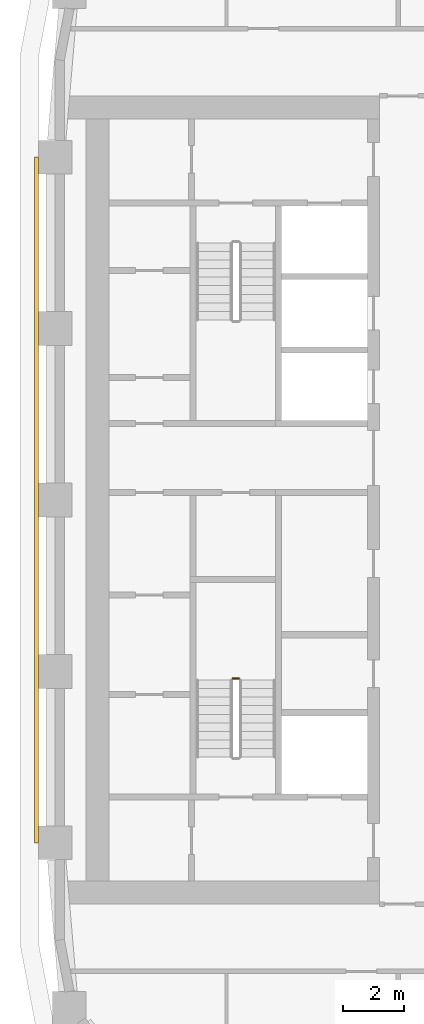
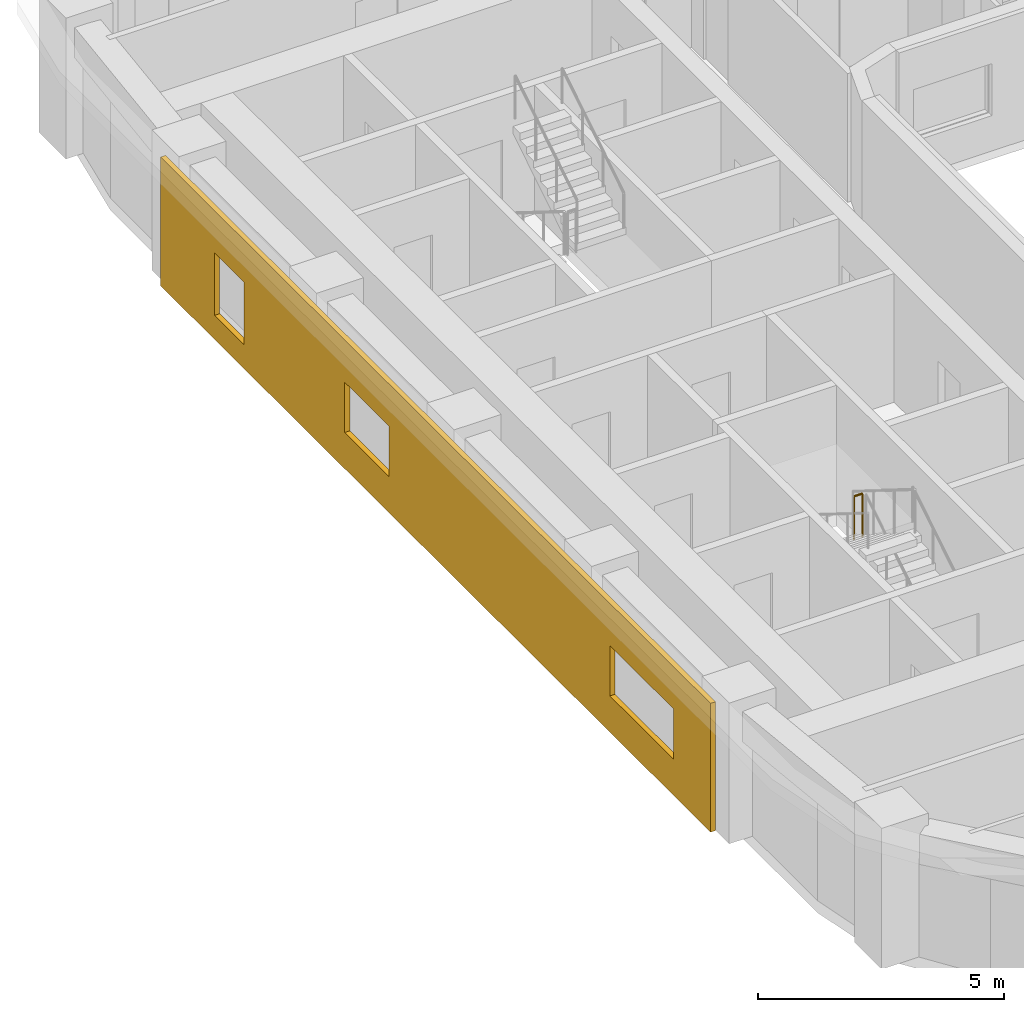
# One storey, part 13 of 22: 1 covering, 1 railing.
"""IFC4 building model written with IfcOpenShell, lengths in metres."""

import ifcopenshell
import ifcopenshell.guid

model = None  # the IFC model being written
_history = None  # IfcOwnerHistory: only IFC2X3 demands one
_inside = {}  # id of a spatial element -> (the spatial element, [elements in it])
_under = {}  # id of a project, library or spatial element -> (it, [spatial elements below it])
_declared = {}  # id of a project -> (the project, [libraries it declares])
_typed = {}  # id of a type object -> (the type object, [elements of that type])
_made_of = {}  # id of a material, layer set ... -> (it, [elements and type objects made of it])


def new_model(schema):
    """Start an empty IFC model of exactly this schema.

    Asked for "IFC4X3", IfcOpenShell would pick the latest addendum, in which some entities
    have other attributes; the version numbers below select the first issue.
    IFC2X3 requires an IfcOwnerHistory on every rooted entity: one is made here for all.
    """
    global model, _history
    if schema == "IFC4X3":
        model = ifcopenshell.file(schema_version=(4, 3, 0, 0))
    else:
        model = ifcopenshell.file(schema=schema)
    _inside.clear()
    _under.clear()
    _declared.clear()
    _typed.clear()
    _made_of.clear()
    _history = None
    if model.schema == "IFC2X3":
        org = make("IfcOrganization", Name="unknown")
        user = make(
            "IfcPersonAndOrganization",
            ThePerson=make("IfcPerson", FamilyName="unknown"),
            TheOrganization=org,
        )
        app = make(
            "IfcApplication",
            ApplicationDeveloper=org,
            Version="unknown",
            ApplicationFullName="unknown",
            ApplicationIdentifier="unknown",
        )
        _history = make(
            "IfcOwnerHistory",
            OwningUser=user,
            OwningApplication=app,
            ChangeAction="ADDED",
            CreationDate=0,
        )
    return model


def make(cls, **values):
    """One entity of the class cls with the attributes given. An attribute that is None is left unset."""
    return model.create_entity(
        cls, **{name: value for name, value in values.items() if value is not None}
    )


def rooted(cls, **values):
    """An entity with a GlobalId (a new one), such as an element, a storey or a relation."""
    return make(cls, GlobalId=ifcopenshell.guid.new(), OwnerHistory=_history, **values)


def si_unit(unit_type, name, prefix=None):
    """IfcSIUnit, for example si_unit("LENGTHUNIT", "METRE", prefix="MILLI")."""
    return make("IfcSIUnit", UnitType=unit_type, Prefix=prefix, Name=name)


def assignment(units):
    """IfcUnitAssignment: the units of a project."""
    return None if units is None else make("IfcUnitAssignment", Units=units)


def point(xyz):
    """IfcCartesianPoint."""
    return None if xyz is None else make("IfcCartesianPoint", Coordinates=xyz)


def direction(xyz):
    """IfcDirection."""
    return None if xyz is None else make("IfcDirection", DirectionRatios=xyz)


def frame(location, z_axis=None, x_axis=None):
    """IfcAxis2Placement3D, a coordinate frame: its origin and axes. An axis left out is left unset."""
    return make(
        "IfcAxis2Placement3D",
        Location=point(location),
        Axis=direction(z_axis),
        RefDirection=direction(x_axis),
    )


def frame_2d(location, x_axis=None):
    """IfcAxis2Placement2D, a coordinate frame in the plane: its origin and x axis."""
    return make(
        "IfcAxis2Placement2D", Location=point(location), RefDirection=direction(x_axis)
    )


def origin():
    """The frame at (0, 0, 0) with its axes left unset."""
    return frame((0.0, 0.0, 0.0))


def origin_2d():
    """The frame at (0, 0) in the plane with its x axis left unset."""
    return frame_2d((0.0, 0.0))


def place(relative_to, where):
    """IfcLocalPlacement: puts the frame where relative to a parent placement (None: the world)."""
    return make(
        "IfcLocalPlacement", PlacementRelTo=relative_to, RelativePlacement=where
    )


def context(
    kind, dimensions, precision=None, world=None, true_north=None, identifier=None
):
    """IfcGeometricRepresentationContext, for example the 3D "Model" context."""
    return make(
        "IfcGeometricRepresentationContext",
        ContextIdentifier=identifier,
        ContextType=kind,
        CoordinateSpaceDimension=dimensions,
        Precision=precision,
        WorldCoordinateSystem=world,
        TrueNorth=true_north,
    )


def subcontext(parent, identifier, kind, view, scale=None):
    """IfcGeometricRepresentationSubContext, for example "Body" below "Model"."""
    return make(
        "IfcGeometricRepresentationSubContext",
        ContextIdentifier=identifier,
        ContextType=kind,
        ParentContext=parent,
        TargetScale=scale,
        TargetView=view,
    )


def project(units=None, contexts=None):
    """IfcProject with its units and contexts."""
    return rooted(
        "IfcProject",
        Name="project",
        RepresentationContexts=contexts,
        UnitsInContext=assignment(units),
    )


def spatial(cls, under=None, at=None, **own):
    """A site, building, storey or space (cls), placed at a placement, below another one or the project."""
    s = rooted(cls, ObjectPlacement=at, **own)
    if under is not None:
        _under.setdefault(under.id(), (under, []))[1].append(s)
    return s


def polyline(points):
    """IfcPolyline through the points."""
    return make("IfcPolyline", Points=[point(p) for p in points])


def profile(cls, at=None, kind="AREA", **sizes):
    """A parametric profile (cls). Its sizes go by their IFC names, for example OverallWidth=200.0."""
    return make(cls, ProfileType=kind, Position=at, **sizes)


def circle(**sizes):
    """IfcCircleProfileDef."""
    return profile("IfcCircleProfileDef", **sizes)


def outline(outer, holes=None, kind="AREA"):
    """IfcArbitraryClosedProfileDef: a profile drawn as a closed curve; with holes, ...WithVoids."""
    if holes is None:
        return make("IfcArbitraryClosedProfileDef", ProfileType=kind, OuterCurve=outer)
    return make(
        "IfcArbitraryProfileDefWithVoids",
        ProfileType=kind,
        OuterCurve=outer,
        InnerCurves=holes,
    )


def extrude(swept, where, along, depth):
    """IfcExtrudedAreaSolid: the profile swept, set in the frame where, extruded along a direction by depth."""
    return make(
        "IfcExtrudedAreaSolid",
        SweptArea=swept,
        Position=where,
        ExtrudedDirection=direction(along),
        Depth=depth,
    )


def shape(context_of_items, identifier, shape_type, items):
    """IfcShapeRepresentation: the items that make up one representation, for example the "Body"."""
    return make(
        "IfcShapeRepresentation",
        ContextOfItems=context_of_items,
        RepresentationIdentifier=identifier,
        RepresentationType=shape_type,
        Items=items,
    )


def material(Name=None, Category=None):
    """IfcMaterial."""
    return make("IfcMaterial", Name=Name, Category=Category)


def layer(
    of_material, thickness, ventilated=None, Name=None, Category=None, Priority=None
):
    """IfcMaterialLayer: one layer of a wall or slab, of a material (None: an air gap)."""
    return make(
        "IfcMaterialLayer",
        Material=of_material,
        LayerThickness=thickness,
        IsVentilated=ventilated,
        Name=Name,
        Category=Category,
        Priority=Priority,
    )


def layer_set(layers, Name=None):
    """IfcMaterialLayerSet."""
    return make("IfcMaterialLayerSet", MaterialLayers=layers, LayerSetName=Name)


def made_of(thing, what):
    """Note that an element or type object is made of a material, layer set ...; save() writes the relation."""
    if what is not None:
        _made_of.setdefault(what.id(), (what, []))[1].append(thing)
    return thing


def type_object(cls, material=None, **own):
    """A type object (cls), such as IfcWallType, which elements share."""
    return made_of(rooted(cls, **own), material)


def element(
    cls,
    number,
    at=None,
    inside=None,
    cuts=None,
    type_object=None,
    material=None,
    context=None,
    identifier="Body",
    shape_type=None,
    held_by="IfcProductDefinitionShape",
    body=None,
    shapes=None,
    **own,
):
    """One element of the class cls, such as IfcWall. Its Tag is "e" and its number.

    at: its placement. inside: the storey or other place that contains it. cuts: it is an
    opening in that element (IfcRelVoidsElement). A single representation is given by context,
    identifier, shape_type and body (its items); several are given by shapes. held_by: the class
    of the entity that holds the representations. save() writes the other relations.
    """
    e = rooted(cls, Tag="e%d" % number, ObjectPlacement=at, **own)
    if body is not None:
        shapes = [shape(context, identifier, shape_type, body)]
    if shapes is not None:
        e.Representation = make(held_by, Representations=shapes)
    if inside is not None:
        _inside.setdefault(inside.id(), (inside, []))[1].append(e)
    if cuts is not None:
        rooted(
            "IfcRelVoidsElement", RelatingBuildingElement=cuts, RelatedOpeningElement=e
        )
    if type_object is not None:
        _typed.setdefault(type_object.id(), (type_object, []))[1].append(e)
    return made_of(e, material)


def aggregate(whole, parts):
    """IfcRelAggregates: a whole, such as a stair, and the parts it consists of."""
    return rooted("IfcRelAggregates", RelatingObject=whole, RelatedObjects=parts)


def save(model, path):
    """Write the relations noted so far, then the file.

    IfcRelAggregates (storeys below a building ...), IfcRelContainedInSpatialStructure (elements
    in a storey), IfcRelDefinesByType, IfcRelAssociatesMaterial and IfcRelDeclares: one each for
    every whole, place, type object, material and project.
    """
    for whole, parts in _under.values():
        aggregate(whole, parts)
    for where, things in _inside.values():
        rooted(
            "IfcRelContainedInSpatialStructure",
            RelatedElements=things,
            RelatingStructure=where,
        )
    for kind, things in _typed.values():
        rooted("IfcRelDefinesByType", RelatedObjects=things, RelatingType=kind)
    for what, things in _made_of.values():
        rooted("IfcRelAssociatesMaterial", RelatedObjects=things, RelatingMaterial=what)
    for by, libraries in _declared.values():
        rooted("IfcRelDeclares", RelatingContext=by, RelatedDefinitions=libraries)
    model.write(path)


model = new_model("IFC4")

# Units and contexts
model_context = context("Model", 3, precision=1e-05, world=origin(), true_north=direction((0.0, 1.0)))
body_context = subcontext(model_context, "Body", "Model", "MODEL_VIEW")
ifc_project = project(units=[si_unit("LENGTHUNIT", "METRE"), si_unit("AREAUNIT", "SQUARE_METRE"), si_unit("VOLUMEUNIT", "CUBIC_METRE"), si_unit("PLANEANGLEUNIT", "RADIAN"), si_unit("MASSUNIT", "GRAM", prefix="KILO")], contexts=[model_context])

# Site, building, storey
site_placement = place(None, origin())
site = spatial("IfcSite", under=ifc_project, at=site_placement, CompositionType="ELEMENT")
building_placement = place(site_placement, origin())
building = spatial("IfcBuilding", under=site, at=building_placement, Name="Kiln Ring Residences", CompositionType="ELEMENT")
storey_placement = place(building_placement, frame((0.0, 0.0, 150.10009765625)))
storey = spatial("IfcBuildingStorey", under=building, at=storey_placement, Name="L38", CompositionType="ELEMENT", Elevation=150.10009765625)

# Railing
ifc_material_1 = material(Name="Stainless steel", Category="steel")
railing_type = type_object("IfcRailingType", Name="CORE-STAIR-GUARD", PredefinedType="GUARDRAIL", material=ifc_material_1)
railing_placement = place(storey_placement, frame((-22.0, -5.830078125, 1.75)))
element("IfcRailing", 1, at=railing_placement, inside=storey, type_object=railing_type, Name="L38 W-STS stair guard 2", PredefinedType="GUARDRAIL", context=body_context, shape_type="SweptSolid", body=[
    extrude(circle(Radius=0.02392578125, at=origin_2d()), frame((0.0, 0.0, 1.076171875), z_axis=(-1.0, 0.0, 0.0), x_axis=(0.0, -1.0, 0.0)), (0.0, 0.0, 1.0), 0.199951171875),
    extrude(circle(Radius=0.02099609375, at=origin_2d()), origin(), (0.0, 0.0, 1.0), 1.052001953125),
    extrude(circle(Radius=0.02099609375, at=origin_2d()), frame((-0.199951171875, 0.0, 0.0)), (0.0, 0.0, 1.0), 1.052001953125),
])

# Covering
ifc_material_2 = material(Name="Brick masonry, dark clay brick", Category="masonry")
ifc_layer = layer(ifc_material_2, 0.1201171875)
ifc_layer_set = layer_set([ifc_layer], Name="RAINSCREEN PANEL 120")
covering_type = type_object("IfcCoveringType", Name="RAINSCREEN PANEL 120", PredefinedType="CLADDING", material=ifc_layer_set)
covering_placement = place(storey_placement, frame((-28.610107421875, 11.199951171875, 0.0), z_axis=(0.0, 0.0, 1.0), x_axis=(0.0, -1.0, 0.0)))
element("IfcCovering", 2, at=covering_placement, inside=storey, type_object=covering_type, Name="RAINSCREEN L38", PredefinedType="CLADDING", context=body_context, shape_type="SweptSolid", body=[
    extrude(outline(polyline([(0.0, 0.0), (22.39990234375, 0.0), (22.39990234375, 3.199951171875), (0.0, 3.199951171875), (0.0, 0.0)]), holes=[polyline([(3.39990234375, 2.14990234375), (2.199951171875, 2.14990234375), (2.199951171875, 0.599853515625), (3.39990234375, 0.599853515625), (3.39990234375, 2.14990234375)]), polyline([(9.300048828125, 0.89990234375), (9.300048828125, 2.14990234375), (7.5, 2.14990234375), (7.5, 0.89990234375), (9.300048828125, 0.89990234375)]), polyline([(20.89990234375, 0.89990234375), (20.89990234375, 2.14990234375), (18.300048828125, 2.14990234375), (18.300048828125, 0.89990234375), (20.89990234375, 0.89990234375)])]), frame((0.0, 0.06005859375, 0.0), z_axis=(0.0, -1.0, 0.0), x_axis=(1.0, 0.0, 0.0)), (0.0, 0.0, 1.0), 0.1201171875),
])

save(model, "model.ifc")
